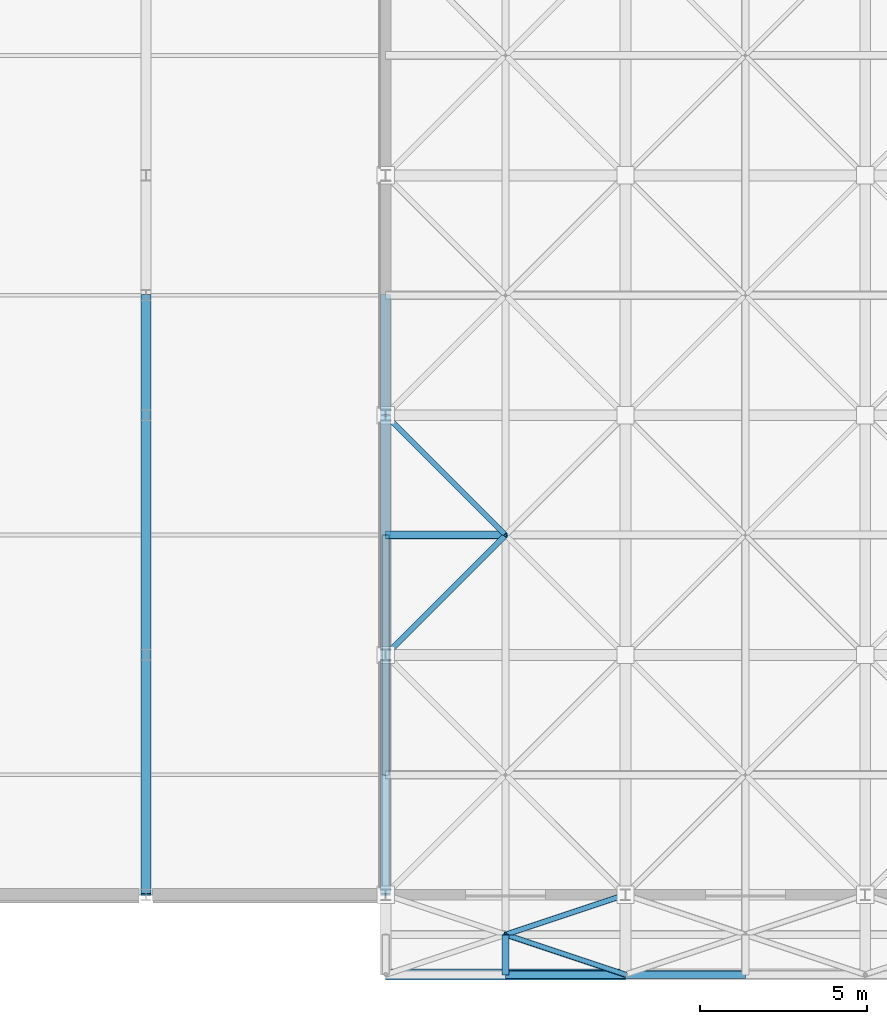
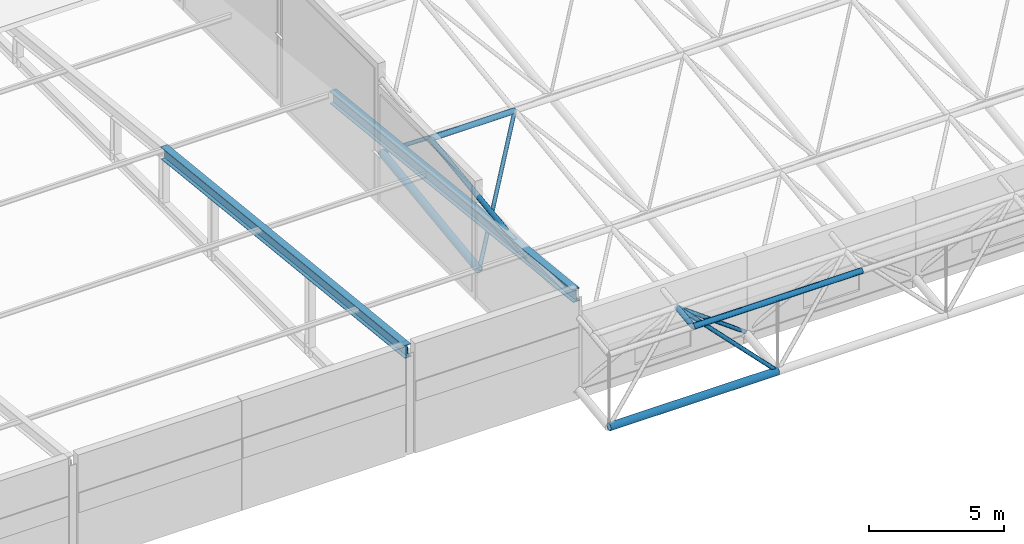
# One storey, part 30 of 103: 12 members.
"""IFC4 building model written with IfcOpenShell, lengths in metres."""

import ifcopenshell
import ifcopenshell.guid

model = None  # the IFC model being written
_history = None  # IfcOwnerHistory: only IFC2X3 demands one
_inside = {}  # id of a spatial element -> (the spatial element, [elements in it])
_under = {}  # id of a project, library or spatial element -> (it, [spatial elements below it])
_declared = {}  # id of a project -> (the project, [libraries it declares])
_typed = {}  # id of a type object -> (the type object, [elements of that type])
_made_of = {}  # id of a material, layer set ... -> (it, [elements and type objects made of it])


def new_model(schema):
    """Start an empty IFC model of exactly this schema.

    Asked for "IFC4X3", IfcOpenShell would pick the latest addendum, in which some entities
    have other attributes; the version numbers below select the first issue.
    IFC2X3 requires an IfcOwnerHistory on every rooted entity: one is made here for all.
    """
    global model, _history
    if schema == "IFC4X3":
        model = ifcopenshell.file(schema_version=(4, 3, 0, 0))
    else:
        model = ifcopenshell.file(schema=schema)
    _inside.clear()
    _under.clear()
    _declared.clear()
    _typed.clear()
    _made_of.clear()
    _history = None
    if model.schema == "IFC2X3":
        org = make("IfcOrganization", Name="unknown")
        user = make(
            "IfcPersonAndOrganization",
            ThePerson=make("IfcPerson", FamilyName="unknown"),
            TheOrganization=org,
        )
        app = make(
            "IfcApplication",
            ApplicationDeveloper=org,
            Version="unknown",
            ApplicationFullName="unknown",
            ApplicationIdentifier="unknown",
        )
        _history = make(
            "IfcOwnerHistory",
            OwningUser=user,
            OwningApplication=app,
            ChangeAction="ADDED",
            CreationDate=0,
        )
    return model


def make(cls, **values):
    """One entity of the class cls with the attributes given. An attribute that is None is left unset."""
    return model.create_entity(
        cls, **{name: value for name, value in values.items() if value is not None}
    )


def rooted(cls, **values):
    """An entity with a GlobalId (a new one), such as an element, a storey or a relation."""
    return make(cls, GlobalId=ifcopenshell.guid.new(), OwnerHistory=_history, **values)


def si_unit(unit_type, name, prefix=None):
    """IfcSIUnit, for example si_unit("LENGTHUNIT", "METRE", prefix="MILLI")."""
    return make("IfcSIUnit", UnitType=unit_type, Prefix=prefix, Name=name)


def assignment(units):
    """IfcUnitAssignment: the units of a project."""
    return None if units is None else make("IfcUnitAssignment", Units=units)


def point(xyz):
    """IfcCartesianPoint."""
    return None if xyz is None else make("IfcCartesianPoint", Coordinates=xyz)


def direction(xyz):
    """IfcDirection."""
    return None if xyz is None else make("IfcDirection", DirectionRatios=xyz)


def frame(location, z_axis=None, x_axis=None):
    """IfcAxis2Placement3D, a coordinate frame: its origin and axes. An axis left out is left unset."""
    return make(
        "IfcAxis2Placement3D",
        Location=point(location),
        Axis=direction(z_axis),
        RefDirection=direction(x_axis),
    )


def frame_2d(location, x_axis=None):
    """IfcAxis2Placement2D, a coordinate frame in the plane: its origin and x axis."""
    return make(
        "IfcAxis2Placement2D", Location=point(location), RefDirection=direction(x_axis)
    )


def origin():
    """The frame at (0, 0, 0) with its axes left unset."""
    return frame((0.0, 0.0, 0.0))


def origin_2d():
    """The frame at (0, 0) in the plane with its x axis left unset."""
    return frame_2d((0.0, 0.0))


def place(relative_to, where):
    """IfcLocalPlacement: puts the frame where relative to a parent placement (None: the world)."""
    return make(
        "IfcLocalPlacement", PlacementRelTo=relative_to, RelativePlacement=where
    )


def context(
    kind, dimensions, precision=None, world=None, true_north=None, identifier=None
):
    """IfcGeometricRepresentationContext, for example the 3D "Model" context."""
    return make(
        "IfcGeometricRepresentationContext",
        ContextIdentifier=identifier,
        ContextType=kind,
        CoordinateSpaceDimension=dimensions,
        Precision=precision,
        WorldCoordinateSystem=world,
        TrueNorth=true_north,
    )


def subcontext(parent, identifier, kind, view, scale=None):
    """IfcGeometricRepresentationSubContext, for example "Body" below "Model"."""
    return make(
        "IfcGeometricRepresentationSubContext",
        ContextIdentifier=identifier,
        ContextType=kind,
        ParentContext=parent,
        TargetScale=scale,
        TargetView=view,
    )


def project(units=None, contexts=None):
    """IfcProject with its units and contexts."""
    return rooted(
        "IfcProject",
        Name="project",
        RepresentationContexts=contexts,
        UnitsInContext=assignment(units),
    )


def spatial(cls, under=None, at=None, **own):
    """A site, building, storey or space (cls), placed at a placement, below another one or the project."""
    s = rooted(cls, ObjectPlacement=at, **own)
    if under is not None:
        _under.setdefault(under.id(), (under, []))[1].append(s)
    return s


def profile(cls, at=None, kind="AREA", **sizes):
    """A parametric profile (cls). Its sizes go by their IFC names, for example OverallWidth=200.0."""
    return make(cls, ProfileType=kind, Position=at, **sizes)


def hollow_circle(**sizes):
    """IfcCircleHollowProfileDef."""
    return profile("IfcCircleHollowProfileDef", **sizes)


def i_section(**sizes):
    """IfcIShapeProfileDef."""
    return profile("IfcIShapeProfileDef", **sizes)


def extrude(swept, where, along, depth):
    """IfcExtrudedAreaSolid: the profile swept, set in the frame where, extruded along a direction by depth."""
    return make(
        "IfcExtrudedAreaSolid",
        SweptArea=swept,
        Position=where,
        ExtrudedDirection=direction(along),
        Depth=depth,
    )


def shape(context_of_items, identifier, shape_type, items):
    """IfcShapeRepresentation: the items that make up one representation, for example the "Body"."""
    return make(
        "IfcShapeRepresentation",
        ContextOfItems=context_of_items,
        RepresentationIdentifier=identifier,
        RepresentationType=shape_type,
        Items=items,
    )


def material(Name=None, Category=None):
    """IfcMaterial."""
    return make("IfcMaterial", Name=Name, Category=Category)


def material_profile(
    of_material, cross_section, Name=None, Category=None, Priority=None
):
    """IfcMaterialProfile: a cross section and its material."""
    return make(
        "IfcMaterialProfile",
        Name=Name,
        Material=of_material,
        Profile=cross_section,
        Priority=Priority,
        Category=Category,
    )


def profile_set(profiles, Name=None, composite=None):
    """IfcMaterialProfileSet."""
    return make(
        "IfcMaterialProfileSet",
        Name=Name,
        MaterialProfiles=profiles,
        CompositeProfile=composite,
    )


def made_of(thing, what):
    """Note that an element or type object is made of a material, layer set ...; save() writes the relation."""
    if what is not None:
        _made_of.setdefault(what.id(), (what, []))[1].append(thing)
    return thing


def type_object(cls, material=None, **own):
    """A type object (cls), such as IfcWallType, which elements share."""
    return made_of(rooted(cls, **own), material)


def element(
    cls,
    number,
    at=None,
    inside=None,
    cuts=None,
    type_object=None,
    material=None,
    context=None,
    identifier="Body",
    shape_type=None,
    held_by="IfcProductDefinitionShape",
    body=None,
    shapes=None,
    **own,
):
    """One element of the class cls, such as IfcWall. Its Tag is "e" and its number.

    at: its placement. inside: the storey or other place that contains it. cuts: it is an
    opening in that element (IfcRelVoidsElement). A single representation is given by context,
    identifier, shape_type and body (its items); several are given by shapes. held_by: the class
    of the entity that holds the representations. save() writes the other relations.
    """
    e = rooted(cls, Tag="e%d" % number, ObjectPlacement=at, **own)
    if body is not None:
        shapes = [shape(context, identifier, shape_type, body)]
    if shapes is not None:
        e.Representation = make(held_by, Representations=shapes)
    if inside is not None:
        _inside.setdefault(inside.id(), (inside, []))[1].append(e)
    if cuts is not None:
        rooted(
            "IfcRelVoidsElement", RelatingBuildingElement=cuts, RelatedOpeningElement=e
        )
    if type_object is not None:
        _typed.setdefault(type_object.id(), (type_object, []))[1].append(e)
    return made_of(e, material)


def aggregate(whole, parts):
    """IfcRelAggregates: a whole, such as a stair, and the parts it consists of."""
    return rooted("IfcRelAggregates", RelatingObject=whole, RelatedObjects=parts)


def save(model, path):
    """Write the relations noted so far, then the file.

    IfcRelAggregates (storeys below a building ...), IfcRelContainedInSpatialStructure (elements
    in a storey), IfcRelDefinesByType, IfcRelAssociatesMaterial and IfcRelDeclares: one each for
    every whole, place, type object, material and project.
    """
    for whole, parts in _under.values():
        aggregate(whole, parts)
    for where, things in _inside.values():
        rooted(
            "IfcRelContainedInSpatialStructure",
            RelatedElements=things,
            RelatingStructure=where,
        )
    for kind, things in _typed.values():
        rooted("IfcRelDefinesByType", RelatedObjects=things, RelatingType=kind)
    for what, things in _made_of.values():
        rooted("IfcRelAssociatesMaterial", RelatedObjects=things, RelatingMaterial=what)
    for by, libraries in _declared.values():
        rooted("IfcRelDeclares", RelatingContext=by, RelatedDefinitions=libraries)
    model.write(path)


model = new_model("IFC4")

# Units and contexts
model_context = context("Model", 3, precision=1e-05, world=origin(), true_north=direction((0.0, 1.0)))
body_context = subcontext(model_context, "Body", "Model", "MODEL_VIEW")
ifc_project = project(units=[si_unit("LENGTHUNIT", "METRE"), si_unit("AREAUNIT", "SQUARE_METRE"), si_unit("VOLUMEUNIT", "CUBIC_METRE"), si_unit("PLANEANGLEUNIT", "RADIAN"), si_unit("MASSUNIT", "GRAM", prefix="KILO")], contexts=[model_context])

# Site, building, storey
site_placement = place(None, origin())
site = spatial("IfcSite", under=ifc_project, at=site_placement, CompositionType="ELEMENT")
building_placement = place(site_placement, origin())
building = spatial("IfcBuilding", under=site, at=building_placement, Name="Thalmaran Polytechnic", CompositionType="ELEMENT")
storey_placement = place(building_placement, frame((0.0, 0.0, 14.39990234375)))
storey = spatial("IfcBuildingStorey", under=building, at=storey_placement, Name="L03", CompositionType="ELEMENT", Elevation=14.39990234375)

# Members
ifc_material = material(Name="Steel S355", Category="steel")
ifc_material_profile_1 = material_profile(ifc_material, i_section(OverallWidth=0.300048828125, OverallDepth=0.550048828125, WebThickness=0.014892578125, FlangeThickness=0.029052734375, at=origin_2d()), Name="HEB 550")
ifc_profile_set_1 = profile_set([ifc_material_profile_1], Name="Steel S355")
member_type_1 = type_object("IfcMemberType", Name="MB-RAF1", PredefinedType="RAFTER", material=ifc_profile_set_1)
for number, where, z_axis, x_axis, name in (
    (1, (100.800048828125, 0.0, 4.550048828125), (0.0, 0.994329747654, -0.10634073975), (-1.0, 0.0, 0.0), "Lecture Raked Roof Rafter South G14"),
    (2, (108.0, 0.0, 4.550048828125), (0.0, 0.994329747654, -0.10634073975), (-1.0, 0.0, 0.0), "Lecture Raked Roof Rafter South G15"),
):
    element("IfcMember", number, at=place(storey_placement, frame(where, z_axis=z_axis, x_axis=x_axis)), inside=storey, type_object=member_type_1, Name=name, PredefinedType="RAFTER", context=body_context, shape_type="SweptSolid", body=[
        extrude(i_section(OverallWidth=0.300048828125, OverallDepth=0.550048828125, WebThickness=0.014892578125, FlangeThickness=0.029052734375, at=origin_2d()), origin(), (0.0, 0.0, 1.0), 18.1025390625),
    ])
ifc_material_profile_2 = material_profile(ifc_material, hollow_circle(Radius=0.161865234375, WallThickness=0.012451171875, at=origin_2d()), Name="CHS 323.9x12.5")
ifc_profile_set_2 = profile_set([ifc_material_profile_2], Name="Steel S355")
member_type_2 = type_object("IfcMemberType", Name="MB-SFC0", PredefinedType="CHORD", material=ifc_profile_set_2)
member_1_placement = place(storey_placement, frame((108.0, 7.199951171875, 1.327880859375), z_axis=(0.0, 0.991442963585, 0.130540606544), x_axis=(-1.0, 0.0, 0.0)))
element("IfcMember", 3, at=member_1_placement, inside=storey, type_object=member_type_2, Name="Space-Frame Bottom Chord Y (0,2)", PredefinedType="CHORD", context=body_context, shape_type="SweptSolid", body=[
    extrude(hollow_circle(Radius=0.161865234375, WallThickness=0.012451171875, at=origin_2d()), origin(), (0.0, 0.0, 1.0), 7.26220703125),
])
ifc_material_profile_3 = material_profile(ifc_material, hollow_circle(Radius=0.122314453125, WallThickness=0.010009765625, at=origin_2d()), Name="CHS 244.5x10.0")
ifc_profile_set_3 = profile_set([ifc_material_profile_3], Name="Steel S355")
member_type_3 = type_object("IfcMemberType", Name="MB-SFC1", PredefinedType="CHORD", material=ifc_profile_set_3)
member_2_placement = place(storey_placement, frame((108.0, 10.800048828125, 5.072021484375), z_axis=(1.0, 0.0, 0.0), x_axis=(0.0, 1.0, 0.0)))
element("IfcMember", 4, at=member_2_placement, inside=storey, type_object=member_type_3, Name="Space-Frame Top Chord X (0,3)", PredefinedType="CHORD", context=body_context, shape_type="SweptSolid", body=[
    extrude(hollow_circle(Radius=0.122314453125, WallThickness=0.010009765625, at=origin_2d()), origin(), (0.0, 0.0, 1.0), 3.60009765625),
])
member_3_placement = place(storey_placement, frame((111.60009765625, -2.39990234375, 3.334228515625), z_axis=(1.0, 0.0, 0.0), x_axis=(0.0, 1.0, 0.0)))
element("IfcMember", 5, at=member_3_placement, inside=storey, type_object=member_type_3, Name="Space-Frame Top Chord X (1,0)", PredefinedType="CHORD", context=body_context, shape_type="SweptSolid", body=[
    extrude(hollow_circle(Radius=0.122314453125, WallThickness=0.010009765625, at=origin_2d()), origin(), (0.0, 0.0, 1.0), 7.199951171875),
])
ifc_material_profile_4 = material_profile(ifc_material, hollow_circle(Radius=0.109619140625, WallThickness=0.010009765625, at=origin_2d()), Name="CHS 219.1x10.0")
ifc_profile_set_4 = profile_set([ifc_material_profile_4], Name="Steel S355")
member_type_4 = type_object("IfcMemberType", Name="MB-SFC2", PredefinedType="CHORD", material=ifc_profile_set_4)
member_4_placement = place(storey_placement, frame((108.0, 3.60009765625, 4.1240234375), z_axis=(0.0, 0.991442963585, 0.130540606544), x_axis=(-1.0, 0.0, 0.0)))
element("IfcMember", 6, at=member_4_placement, inside=storey, type_object=member_type_4, Name="Space-Frame Top Chord Y (0,2)", PredefinedType="CHORD", context=body_context, shape_type="SweptSolid", body=[
    extrude(hollow_circle(Radius=0.109619140625, WallThickness=0.010009765625, at=origin_2d()), origin(), (0.0, 0.0, 1.0), 7.26220703125),
])
member_5_placement = place(storey_placement, frame((111.60009765625, -2.39990234375, 3.334228515625), z_axis=(0.0, 0.99144674145, 0.130511910828), x_axis=(-1.0, 0.0, 0.0)))
element("IfcMember", 7, at=member_5_placement, inside=storey, type_object=member_type_4, Name="Space-Frame Top Chord Y (1,0)", PredefinedType="CHORD", context=body_context, shape_type="SweptSolid", body=[
    extrude(hollow_circle(Radius=0.109619140625, WallThickness=0.010009765625, at=origin_2d()), origin(), (0.0, 0.0, 1.0), 1.210205078125),
])
ifc_material_profile_5 = material_profile(ifc_material, hollow_circle(Radius=0.161865234375, WallThickness=0.012451171875, at=origin_2d()), Name="CHS 323.9x12.5")
ifc_profile_set_5 = profile_set([ifc_material_profile_5], Name="Steel S355")
member_type_5 = type_object("IfcMemberType", Name="MB-SFC4", PredefinedType="CHORD", material=ifc_profile_set_5)
member_6_placement = place(storey_placement, frame((108.0, -2.39990234375, 0.064208984375), z_axis=(1.0, 0.0, 0.0), x_axis=(0.0, 1.0, 0.0)))
element("IfcMember", 8, at=member_6_placement, inside=storey, type_object=member_type_5, Name="Space-Frame Bottom Chord X (0,0)", PredefinedType="CHORD", context=body_context, shape_type="SweptSolid", body=[
    extrude(hollow_circle(Radius=0.161865234375, WallThickness=0.012451171875, at=origin_2d()), origin(), (0.0, 0.0, 1.0), 7.199951171875),
])
ifc_material_profile_6 = material_profile(ifc_material, hollow_circle(Radius=0.084228515625, WallThickness=0.008056640625, at=origin_2d()), Name="CHS 168.3x8.0")
ifc_profile_set_6 = profile_set([ifc_material_profile_6], Name="Steel S355")
member_type_6 = type_object("IfcMemberType", Name="MB-SFD1", PredefinedType="BRACE", material=ifc_profile_set_6)
member_7_placement = place(storey_placement, frame((115.199951171875, -2.39990234375, 0.064208984375), z_axis=(-0.703963439546, 0.234654479849, 0.670352706319), x_axis=(-0.316227766017, -0.948683298051, 0.0)))
element("IfcMember", 9, at=member_7_placement, inside=storey, type_object=member_type_6, Name="Space-Frame Web Diagonal (0,0)-2", PredefinedType="BRACE", context=body_context, shape_type="SweptSolid", body=[
    extrude(hollow_circle(Radius=0.084228515625, WallThickness=0.008056640625, at=origin_2d()), origin(), (0.0, 0.0, 1.0), 5.11376953125),
])
member_8_placement = place(storey_placement, frame((115.199951171875, 0.0, 0.380126953125), z_axis=(-0.733538280282, -0.244512760094, 0.634141231519), x_axis=(0.316227766017, -0.948683298051, 0.0)))
element("IfcMember", 10, at=member_8_placement, inside=storey, type_object=member_type_6, Name="Space-Frame Web Diagonal (0,0)-4", PredefinedType="BRACE", context=body_context, shape_type="SweptSolid", body=[
    extrude(hollow_circle(Radius=0.084228515625, WallThickness=0.008056640625, at=origin_2d()), origin(), (0.0, 0.0, 1.0), 4.907470703125),
])
member_9_placement = place(storey_placement, frame((108.0, 7.199951171875, 1.327880859375), z_axis=(0.569652853186, 0.569652853186, 0.592445148275), x_axis=(-0.707106781187, 0.707106781187, 0.0)))
element("IfcMember", 11, at=member_9_placement, inside=storey, type_object=member_type_6, Name="Space-Frame Web Diagonal (0,2)-1", PredefinedType="BRACE", context=body_context, shape_type="SweptSolid", body=[
    extrude(hollow_circle(Radius=0.084228515625, WallThickness=0.008056640625, at=origin_2d()), origin(), (0.0, 0.0, 1.0), 6.31982421875),
])
member_10_placement = place(storey_placement, frame((108.0, 14.39990234375, 2.27587890625), z_axis=(0.619803774917, -0.619761742923, 0.481392420597), x_axis=(0.707082803744, 0.707130757816, 0.0)))
element("IfcMember", 12, at=member_10_placement, inside=storey, type_object=member_type_6, Name="Space-Frame Web Diagonal (0,2)-3", PredefinedType="BRACE", context=body_context, shape_type="SweptSolid", body=[
    extrude(hollow_circle(Radius=0.084228515625, WallThickness=0.008056640625, at=origin_2d()), origin(), (0.0, 0.0, 1.0), 5.808349609375),
])

save(model, "model.ifc")
